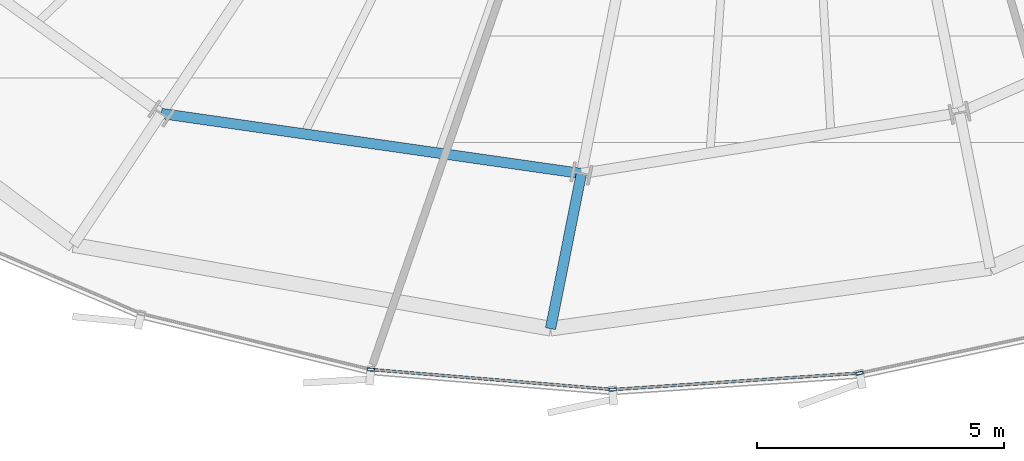
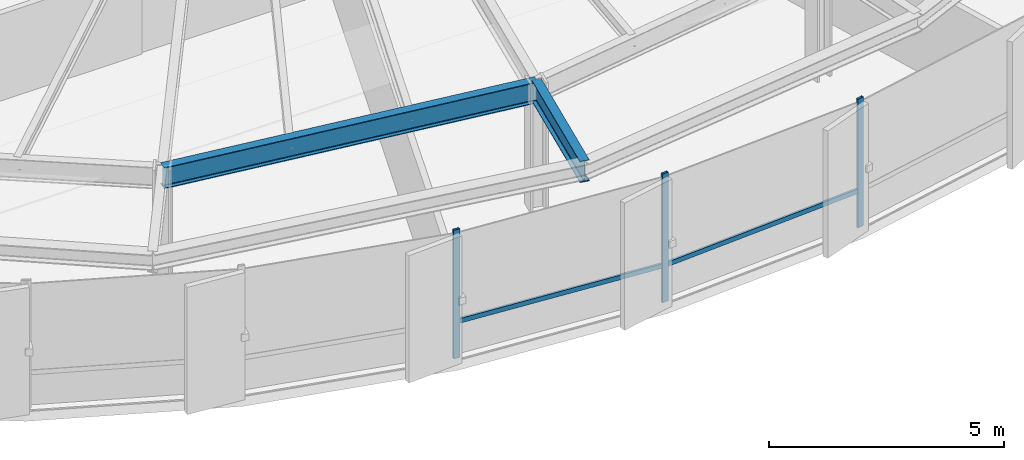
# One storey, part 5 of 35: 5 members, 2 beams, 1 element without a shape of its own.
"""IFC4 building model written with IfcOpenShell, lengths in metres."""

from ifc_helpers import new_model, si_unit, direction, frame, origin, origin_2d, place, context, subcontext, project, spatial, hollow_rectangle, i_section, extrude, source, transform, mapped, material, layer, layer_set, material_profile, profile_set, type_object, element, aggregate, save


model = new_model("IFC4")

# Units and contexts
model_context = context("Model", 3, precision=1e-05, world=origin(), true_north=direction((0.0, 1.0)))
body_context = subcontext(model_context, "Body", "Model", "MODEL_VIEW")
ifc_project = project(units=[si_unit("LENGTHUNIT", "METRE"), si_unit("AREAUNIT", "SQUARE_METRE"), si_unit("VOLUMEUNIT", "CUBIC_METRE"), si_unit("PLANEANGLEUNIT", "RADIAN"), si_unit("MASSUNIT", "GRAM", prefix="KILO"), si_unit("THERMODYNAMICTEMPERATUREUNIT", "KELVIN")], contexts=[model_context])

# Site, building, storey
site_placement = place(None, origin())
site = spatial("IfcSite", under=ifc_project, at=site_placement, CompositionType="ELEMENT")
building_placement = place(site_placement, origin())
building = spatial("IfcBuilding", under=site, at=building_placement, Name="Kethvar Cultural Tower", CompositionType="ELEMENT")
storey_placement = place(building_placement, frame((0.0, 0.0, 100.0)))
storey = spatial("IfcBuildingStorey", under=building, at=storey_placement, Name="L24", CompositionType="ELEMENT", Elevation=100.0)

# Beams
ifc_material_1 = material(Name="Steel S355J2", Category="steel")
ifc_material_profile_1 = material_profile(ifc_material_1, i_section(OverallWidth=0.2099609375, OverallDepth=0.550048828125, WebThickness=0.010986328125, FlangeThickness=0.01708984375, FilletRadius=0.02392578125, at=origin_2d()), Name="Steel S355J2 — IPE550")
ifc_profile_set_1 = profile_set([ifc_material_profile_1], Name="Steel S355J2 — IPE550")
beam_type = type_object("IfcBeamType", Name="BM-IPE550", PredefinedType="BEAM", material=ifc_profile_set_1)
shared_shape_1 = source(origin(), body_context, "Body", "SweptSolid", [
    extrude(i_section(OverallWidth=0.2099609375, OverallDepth=0.550048828125, WebThickness=0.010986328125, FlangeThickness=0.01708984375, FilletRadius=0.02392578125, at=origin_2d()), origin(), (0.0, 0.0, 1.0), 3.2001953125),
])
beam_1_placement = place(storey_placement, frame((42.852294921875, 7.95361328125, 3.072998046875), z_axis=(-0.195074368086, -0.980788453702, 0.0), x_axis=(0.980788453702, -0.195074368086, 0.0)))
element("IfcBeam", 1, at=beam_1_placement, inside=storey, type_object=beam_type, Name="L24 Perimeter Cantilever Beam RC-12", PredefinedType="BEAM", context=body_context, shape_type="MappedRepresentation", body=[
    mapped(shared_shape_1, transform((0.0, 0.0, 0.0), scale=1.0)),
])
shared_shape_2 = source(origin(), body_context, "Body", "SweptSolid", [
    extrude(i_section(OverallWidth=0.2099609375, OverallDepth=0.550048828125, WebThickness=0.010986328125, FlangeThickness=0.01708984375, FilletRadius=0.02392578125, at=origin_2d()), origin(), (0.0, 0.0, 1.0), 8.587890625),
])
beam_2_placement = place(storey_placement, frame((34.350830078125, 9.16845703125, 3.072998046875), z_axis=(0.989943807123, -0.141461156288, 0.0), x_axis=(0.141461156288, 0.989943807123, 0.0)))
element("IfcBeam", 2, at=beam_2_placement, inside=storey, type_object=beam_type, Name="L24 Column Ring Tie Beam CR-11", PredefinedType="BEAM", context=body_context, shape_type="MappedRepresentation", body=[
    mapped(shared_shape_2, transform((0.0, 0.0, 0.0), scale=1.0)),
])

# Curtain wall, members
ifc_material_2 = material(Name="Aluminium 6063-T6", Category="aluminium")
ifc_layer = layer(ifc_material_2, 0.179931640625, Name="Aluminium 6063-T6", Category="aluminium")
ifc_layer_set = layer_set([ifc_layer], Name="Aluminium 6063-T6 (180 mm)")
curtain_wall_type = type_object("IfcCurtainWallType", Name="CW-SYS-03-Z2", PredefinedType="NOTDEFINED", material=ifc_layer_set)
curtain_wall_placement = place(storey_placement, origin())
curtain_wall = element("IfcCurtainWall", 3, at=curtain_wall_placement, inside=storey, type_object=curtain_wall_type, Name="L24 Curtain Wall Run 05", PredefinedType="NOTDEFINED")
ifc_material_profile_2 = material_profile(ifc_material_2, hollow_rectangle(XDim=0.06005859375, YDim=0.14990234375, WallThickness=0.0048828125, at=origin_2d()), Name="Aluminium 6063-T6 — RHS150x60x5")
ifc_profile_set_2 = profile_set([ifc_material_profile_2], Name="Aluminium 6063-T6 — RHS150x60x5")
member_type_1 = type_object("IfcMemberType", Name="CW-SYS-03-Z2-MUL", PredefinedType="MULLION", material=ifc_profile_set_2)
shared_shape_3 = source(origin(), body_context, "Body", "SweptSolid", [
    extrude(hollow_rectangle(XDim=0.06005859375, YDim=0.14990234375, WallThickness=0.0048828125, at=origin_2d()), origin(), (0.0, 0.0, 1.0), 3.35009765625),
])
member_1_placement = place(storey_placement, frame((38.591064453125, 3.987060546875, 0.0), z_axis=(0.0, 0.0, 1.0), x_axis=(0.082286395708, 0.996608724165, 0.0)))
member_1 = element("IfcMember", 4, at=member_1_placement, type_object=member_type_1, Name="CW-L24-R05 Mullion 3", PredefinedType="MULLION", context=body_context, shape_type="MappedRepresentation", body=[
    mapped(shared_shape_3, transform((0.0, 0.0, 0.0), scale=1.0)),
])
member_2_placement = place(storey_placement, frame((43.48486328125, 3.581787109375, 0.0), z_axis=(0.0, 0.0, 1.0), x_axis=(-0.066465463307, 0.997788726228, 0.0)))
member_2 = element("IfcMember", 5, at=member_2_placement, type_object=member_type_1, Name="CW-L24-R05 Mullion 4", PredefinedType="MULLION", context=body_context, shape_type="MappedRepresentation", body=[
    mapped(shared_shape_3, transform((0.0, 0.0, 0.0), scale=1.0)),
])
member_3_placement = place(storey_placement, frame((48.479736328125, 3.9130859375, 0.0), z_axis=(0.0, 0.0, 1.0), x_axis=(-0.209584431702, 0.977790553231, 0.0)))
member_3 = element("IfcMember", 6, at=member_3_placement, type_object=member_type_1, Name="CW-L24-R05 Mullion 5", PredefinedType="MULLION", context=body_context, shape_type="MappedRepresentation", body=[
    mapped(shared_shape_3, transform((0.0, 0.0, 0.0), scale=1.0)),
])
ifc_material_profile_3 = material_profile(ifc_material_2, hollow_rectangle(XDim=0.054931640625, YDim=0.1201171875, WallThickness=0.00390625, at=origin_2d()), Name="Aluminium 6063-T6 — RHS120x55x4")
ifc_profile_set_3 = profile_set([ifc_material_profile_3], Name="Aluminium 6063-T6 — RHS120x55x4")
member_type_2 = type_object("IfcMemberType", Name="CW-SYS-03-Z2-TRN", PredefinedType="USERDEFINED", material=ifc_profile_set_3)
shared_shape_4 = source(origin(), body_context, "Body", "SweptSolid", [
    extrude(hollow_rectangle(XDim=0.054931640625, YDim=0.1201171875, WallThickness=0.00390625, at=origin_2d()), origin(), (0.0, 0.0, 1.0), 4.93603515625),
])
member_4_placement = place(storey_placement, frame((43.528076171875, 3.584716796875, 0.949951171875), z_axis=(0.997791281623, 0.066427090231, 0.0), x_axis=(-0.066427090231, 0.997791281623, 0.0)))
member_4 = element("IfcMember", 7, at=member_4_placement, type_object=member_type_2, Name="CW-L24-R05 Transom 4", ObjectType="TRANSOM", PredefinedType="USERDEFINED", context=body_context, shape_type="MappedRepresentation", body=[
    mapped(shared_shape_4, transform((0.0, 0.0, 0.0), scale=1.0)),
])
shared_shape_5 = source(origin(), body_context, "Body", "SweptSolid", [
    extrude(hollow_rectangle(XDim=0.054931640625, YDim=0.1201171875, WallThickness=0.00390625, at=origin_2d()), origin(), (0.0, 0.0, 1.0), 4.84130859375),
])
member_5_placement = place(storey_placement, frame((38.634033203125, 3.983642578125, 0.949951171875), z_axis=(0.996607730696, -0.082298427187, 0.0), x_axis=(0.082298427187, 0.996607730696, 0.0)))
member_5 = element("IfcMember", 8, at=member_5_placement, type_object=member_type_2, Name="CW-L24-R05 Transom 3", ObjectType="TRANSOM", PredefinedType="USERDEFINED", context=body_context, shape_type="MappedRepresentation", body=[
    mapped(shared_shape_5, transform((0.0, 0.0, 0.0), scale=1.0)),
])
aggregate(curtain_wall, [member_1, member_2, member_3, member_5, member_4])

save(model, "model.ifc")
